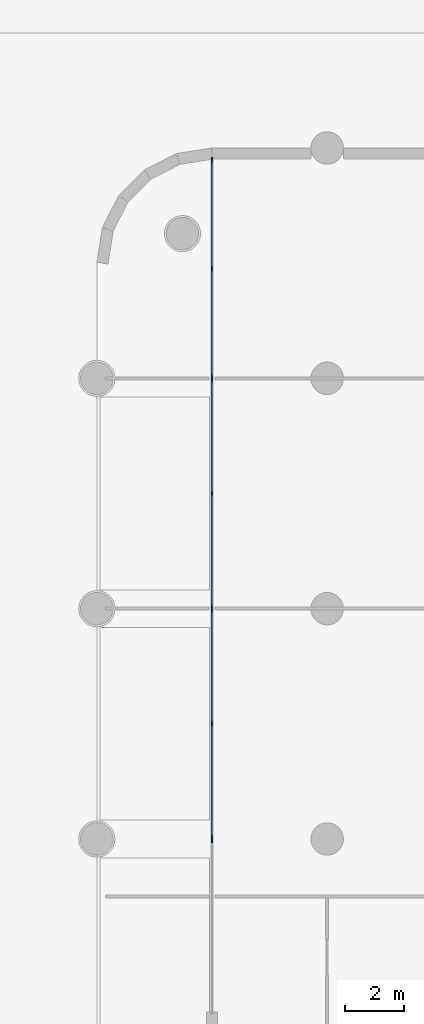
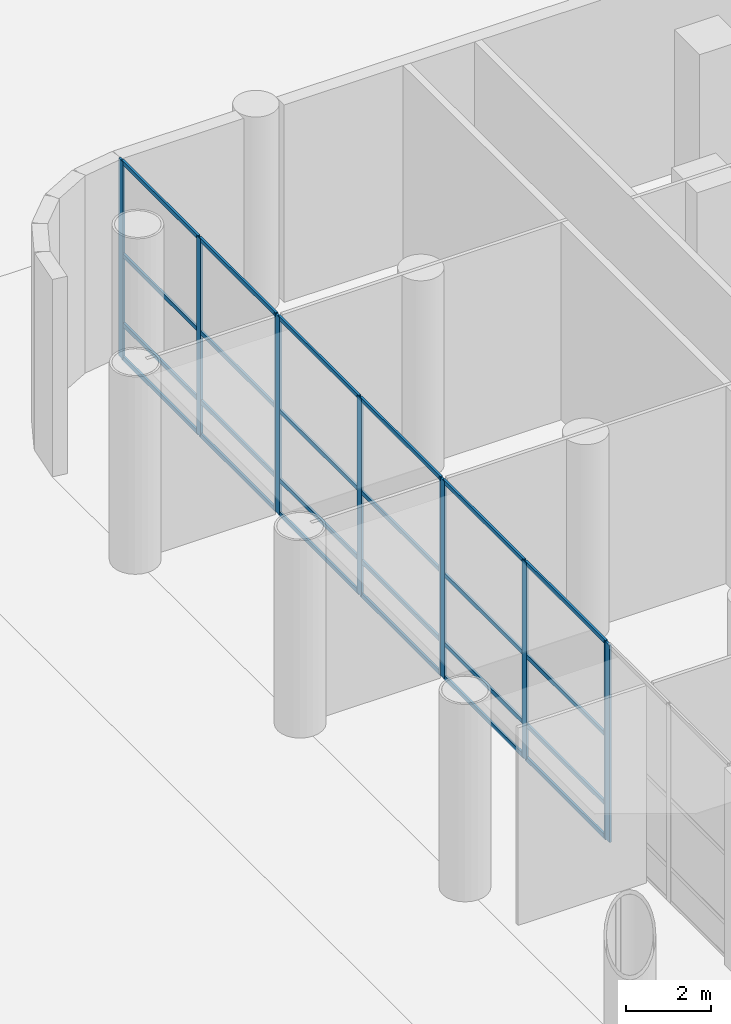
# One storey, part 6 of 32: 34 members, 4 elements without a shape of their own.
"""IFC4 building model written with IfcOpenShell, lengths in metres."""

from ifc_helpers import new_model, si_unit, direction, frame, origin, origin_2d, place, context, subcontext, project, spatial, rectangle, extrude, material, material_profile, profile_set, type_object, element, aggregate, save


model = new_model("IFC4")

# Units and contexts
model_context = context("Model", 3, precision=1e-05, world=origin(), true_north=direction((0.0, 1.0)))
body_context = subcontext(model_context, "Body", "Model", "MODEL_VIEW")
ifc_project = project(units=[si_unit("LENGTHUNIT", "METRE"), si_unit("AREAUNIT", "SQUARE_METRE"), si_unit("VOLUMEUNIT", "CUBIC_METRE"), si_unit("PLANEANGLEUNIT", "RADIAN"), si_unit("MASSUNIT", "GRAM", prefix="KILO")], contexts=[model_context])

# Site, building, storey
site_placement = place(None, origin())
site = spatial("IfcSite", under=ifc_project, at=site_placement, CompositionType="ELEMENT")
building_placement = place(site_placement, origin())
building = spatial("IfcBuilding", under=site, at=building_placement, Name="Ludao Terraces", CompositionType="ELEMENT")
storey_placement = place(building_placement, origin())
storey = spatial("IfcBuildingStorey", under=building, at=storey_placement, Name="L00", CompositionType="ELEMENT", Elevation=0.0)

# Curtain wall, member
ifc_material_1 = material(Name="Aluminium curtain wall with fritted glass", Category="aluminium")
curtain_wall_type = type_object("IfcCurtainWallType", Name="ENV CW2 entrance glazing", PredefinedType="NOTDEFINED", material=ifc_material_1)
curtain_wall_1_placement = place(storey_placement, origin())
curtain_wall_1 = element("IfcCurtainWall", 1, at=curtain_wall_1_placement, inside=storey, type_object=curtain_wall_type, Name="CW-L00-W6", PredefinedType="NOTDEFINED")
ifc_material_2 = material(Name="Aluminium 6063-T6", Category="aluminium")
ifc_material_profile_1 = material_profile(ifc_material_2, rectangle(XDim=0.06005859375, YDim=0.199951171875, at=origin_2d()), Name="60 X 200")
ifc_profile_set_1 = profile_set([ifc_material_profile_1], Name="Aluminium 6063-T6")
member_type_1 = type_object("IfcMemberType", Name="ENV CW2 mullion 60x200", PredefinedType="MULLION", material=ifc_profile_set_1)
member_1_placement = place(storey_placement, frame((49.89990234375, 64.969970703125, 0.0), z_axis=(0.0, 0.0, 1.0), x_axis=(-1.0, 0.0, 0.0)))
member_1 = element("IfcMember", 2, at=member_1_placement, type_object=member_type_1, Name="CW2 mullion 3", PredefinedType="MULLION", context=body_context, shape_type="SweptSolid", body=[
    extrude(rectangle(XDim=0.06005859375, YDim=0.199951171875, at=origin_2d()), origin(), (0.0, 0.0, 1.0), 5.699951171875),
])
aggregate(curtain_wall_1, [member_1])

# Curtain wall, members
curtain_wall_2_placement = place(storey_placement, origin())
curtain_wall_2 = element("IfcCurtainWall", 3, at=curtain_wall_2_placement, inside=storey, type_object=curtain_wall_type, Name="CW-L00-W7", PredefinedType="NOTDEFINED")
member_2_placement = place(storey_placement, frame((49.89990234375, 65.030029296875, 0.0), z_axis=(0.0, 0.0, 1.0), x_axis=(-1.0, 0.0, 0.0)))
member_2 = element("IfcMember", 4, at=member_2_placement, type_object=member_type_1, Name="CW2 mullion 1", PredefinedType="MULLION", context=body_context, shape_type="SweptSolid", body=[
    extrude(rectangle(XDim=0.06005859375, YDim=0.199951171875, at=origin_2d()), origin(), (0.0, 0.0, 1.0), 5.699951171875),
])
member_3_placement = place(storey_placement, frame((49.89990234375, 68.89990234375, 0.0), z_axis=(0.0, 0.0, 1.0), x_axis=(-1.0, 0.0, 0.0)))
member_3 = element("IfcMember", 5, at=member_3_placement, type_object=member_type_1, Name="CW2 mullion 2", PredefinedType="MULLION", context=body_context, shape_type="SweptSolid", body=[
    extrude(rectangle(XDim=0.06005859375, YDim=0.199951171875, at=origin_2d()), origin(), (0.0, 0.0, 1.0), 5.699951171875),
])
member_4_placement = place(storey_placement, frame((49.89990234375, 72.77001953125, 0.0), z_axis=(0.0, 0.0, 1.0), x_axis=(-1.0, 0.0, 0.0)))
member_4 = element("IfcMember", 6, at=member_4_placement, type_object=member_type_1, Name="CW2 mullion 3", PredefinedType="MULLION", context=body_context, shape_type="SweptSolid", body=[
    extrude(rectangle(XDim=0.06005859375, YDim=0.199951171875, at=origin_2d()), origin(), (0.0, 0.0, 1.0), 5.699951171875),
])

curtain_wall_3_placement = place(storey_placement, origin())
curtain_wall_3 = element("IfcCurtainWall", 7, at=curtain_wall_3_placement, inside=storey, type_object=curtain_wall_type, Name="CW-L00-W8", PredefinedType="NOTDEFINED")
member_5_placement = place(storey_placement, frame((49.89990234375, 72.830078125, 0.0), z_axis=(0.0, 0.0, 1.0), x_axis=(-1.0, 0.0, 0.0)))
member_5 = element("IfcMember", 8, at=member_5_placement, type_object=member_type_1, Name="CW2 mullion 1", PredefinedType="MULLION", context=body_context, shape_type="SweptSolid", body=[
    extrude(rectangle(XDim=0.06005859375, YDim=0.199951171875, at=origin_2d()), origin(), (0.0, 0.0, 1.0), 5.699951171875),
])
member_6_placement = place(storey_placement, frame((49.89990234375, 76.699951171875, 0.0), z_axis=(0.0, 0.0, 1.0), x_axis=(-1.0, 0.0, 0.0)))
member_6 = element("IfcMember", 9, at=member_6_placement, type_object=member_type_1, Name="CW2 mullion 2", PredefinedType="MULLION", context=body_context, shape_type="SweptSolid", body=[
    extrude(rectangle(XDim=0.06005859375, YDim=0.199951171875, at=origin_2d()), origin(), (0.0, 0.0, 1.0), 5.699951171875),
])
member_7_placement = place(storey_placement, frame((49.89990234375, 80.570068359375, 0.0), z_axis=(0.0, 0.0, 1.0), x_axis=(-1.0, 0.0, 0.0)))
member_7 = element("IfcMember", 10, at=member_7_placement, type_object=member_type_1, Name="CW2 mullion 3", PredefinedType="MULLION", context=body_context, shape_type="SweptSolid", body=[
    extrude(rectangle(XDim=0.06005859375, YDim=0.199951171875, at=origin_2d()), origin(), (0.0, 0.0, 1.0), 5.699951171875),
])

curtain_wall_4_placement = place(storey_placement, origin())
curtain_wall_4 = element("IfcCurtainWall", 11, at=curtain_wall_4_placement, inside=storey, type_object=curtain_wall_type, Name="CW-L00-W9", PredefinedType="NOTDEFINED")
member_8_placement = place(storey_placement, frame((49.89990234375, 80.6298828125, 0.0), z_axis=(0.0, 0.0, 1.0), x_axis=(-1.0, 0.0, 0.0)))
member_8 = element("IfcMember", 12, at=member_8_placement, type_object=member_type_1, Name="CW2 mullion 1", PredefinedType="MULLION", context=body_context, shape_type="SweptSolid", body=[
    extrude(rectangle(XDim=0.06005859375, YDim=0.199951171875, at=origin_2d()), origin(), (0.0, 0.0, 1.0), 5.699951171875),
])
member_9_placement = place(storey_placement, frame((49.89990234375, 84.31005859375, 0.0), z_axis=(0.0, 0.0, 1.0), x_axis=(-1.0, 0.0, 0.0)))
member_9 = element("IfcMember", 13, at=member_9_placement, type_object=member_type_1, Name="CW2 mullion 2", PredefinedType="MULLION", context=body_context, shape_type="SweptSolid", body=[
    extrude(rectangle(XDim=0.06005859375, YDim=0.199951171875, at=origin_2d()), origin(), (0.0, 0.0, 1.0), 5.699951171875),
])
member_10_placement = place(storey_placement, frame((49.89990234375, 87.989990234375, 0.0), z_axis=(0.0, 0.0, 1.0), x_axis=(-1.0, 0.0, 0.0)))
member_10 = element("IfcMember", 14, at=member_10_placement, type_object=member_type_1, Name="CW2 mullion 3", PredefinedType="MULLION", context=body_context, shape_type="SweptSolid", body=[
    extrude(rectangle(XDim=0.06005859375, YDim=0.199951171875, at=origin_2d()), origin(), (0.0, 0.0, 1.0), 5.699951171875),
])

# Member
ifc_material_profile_2 = material_profile(ifc_material_2, rectangle(XDim=0.06005859375, YDim=0.1201171875, at=origin_2d()), Name="60 X 120")
ifc_profile_set_2 = profile_set([ifc_material_profile_2], Name="Aluminium 6063-T6")
member_type_2 = type_object("IfcMemberType", Name="ENV CW2 transom 60x120", PredefinedType="USERDEFINED", material=ifc_profile_set_2)
member_11_placement = place(storey_placement, frame((49.89990234375, 65.06005859375, 0.030029296875), z_axis=(0.0, 1.0, 0.0), x_axis=(-1.0, 0.0, 0.0)))
member_11 = element("IfcMember", 15, at=member_11_placement, type_object=member_type_2, Name="CW2 transom 1.1", ObjectType="TRANSOM", PredefinedType="USERDEFINED", context=body_context, shape_type="SweptSolid", body=[
    extrude(rectangle(XDim=0.06005859375, YDim=0.1201171875, at=origin_2d()), origin(), (0.0, 0.0, 1.0), 3.81005859375),
])

member_12_placement = place(storey_placement, frame((49.89990234375, 65.06005859375, 1.0), z_axis=(0.0, 1.0, 0.0), x_axis=(-1.0, 0.0, 0.0)))
member_12 = element("IfcMember", 16, at=member_12_placement, type_object=member_type_2, Name="CW2 transom 1.2", ObjectType="TRANSOM", PredefinedType="USERDEFINED", context=body_context, shape_type="SweptSolid", body=[
    extrude(rectangle(XDim=0.06005859375, YDim=0.1201171875, at=origin_2d()), origin(), (0.0, 0.0, 1.0), 3.81005859375),
])

member_13_placement = place(storey_placement, frame((49.89990234375, 65.06005859375, 3.0), z_axis=(0.0, 1.0, 0.0), x_axis=(-1.0, 0.0, 0.0)))
member_13 = element("IfcMember", 17, at=member_13_placement, type_object=member_type_2, Name="CW2 transom 1.3", ObjectType="TRANSOM", PredefinedType="USERDEFINED", context=body_context, shape_type="SweptSolid", body=[
    extrude(rectangle(XDim=0.06005859375, YDim=0.1201171875, at=origin_2d()), origin(), (0.0, 0.0, 1.0), 3.81005859375),
])

member_14_placement = place(storey_placement, frame((49.89990234375, 65.06005859375, 5.669921875), z_axis=(0.0, 1.0, 0.0), x_axis=(-1.0, 0.0, 0.0)))
member_14 = element("IfcMember", 18, at=member_14_placement, type_object=member_type_2, Name="CW2 transom 1.4", ObjectType="TRANSOM", PredefinedType="USERDEFINED", context=body_context, shape_type="SweptSolid", body=[
    extrude(rectangle(XDim=0.06005859375, YDim=0.1201171875, at=origin_2d()), origin(), (0.0, 0.0, 1.0), 3.81005859375),
])

member_15_placement = place(storey_placement, frame((49.89990234375, 68.929931640625, 0.030029296875), z_axis=(0.0, 1.0, 0.0), x_axis=(-1.0, 0.0, 0.0)))
member_15 = element("IfcMember", 19, at=member_15_placement, type_object=member_type_2, Name="CW2 transom 2.1", ObjectType="TRANSOM", PredefinedType="USERDEFINED", context=body_context, shape_type="SweptSolid", body=[
    extrude(rectangle(XDim=0.06005859375, YDim=0.1201171875, at=origin_2d()), origin(), (0.0, 0.0, 1.0), 3.81005859375),
])

member_16_placement = place(storey_placement, frame((49.89990234375, 68.929931640625, 1.0), z_axis=(0.0, 1.0, 0.0), x_axis=(-1.0, 0.0, 0.0)))
member_16 = element("IfcMember", 20, at=member_16_placement, type_object=member_type_2, Name="CW2 transom 2.2", ObjectType="TRANSOM", PredefinedType="USERDEFINED", context=body_context, shape_type="SweptSolid", body=[
    extrude(rectangle(XDim=0.06005859375, YDim=0.1201171875, at=origin_2d()), origin(), (0.0, 0.0, 1.0), 3.81005859375),
])

member_17_placement = place(storey_placement, frame((49.89990234375, 68.929931640625, 3.0), z_axis=(0.0, 1.0, 0.0), x_axis=(-1.0, 0.0, 0.0)))
member_17 = element("IfcMember", 21, at=member_17_placement, type_object=member_type_2, Name="CW2 transom 2.3", ObjectType="TRANSOM", PredefinedType="USERDEFINED", context=body_context, shape_type="SweptSolid", body=[
    extrude(rectangle(XDim=0.06005859375, YDim=0.1201171875, at=origin_2d()), origin(), (0.0, 0.0, 1.0), 3.81005859375),
])

member_18_placement = place(storey_placement, frame((49.89990234375, 68.929931640625, 5.669921875), z_axis=(0.0, 1.0, 0.0), x_axis=(-1.0, 0.0, 0.0)))
member_18 = element("IfcMember", 22, at=member_18_placement, type_object=member_type_2, Name="CW2 transom 2.4", ObjectType="TRANSOM", PredefinedType="USERDEFINED", context=body_context, shape_type="SweptSolid", body=[
    extrude(rectangle(XDim=0.06005859375, YDim=0.1201171875, at=origin_2d()), origin(), (0.0, 0.0, 1.0), 3.81005859375),
])

aggregate(curtain_wall_2, [member_2, member_3, member_4, member_11, member_12, member_13, member_14, member_15, member_16, member_17, member_18])

member_19_placement = place(storey_placement, frame((49.89990234375, 72.860107421875, 0.030029296875), z_axis=(0.0, 1.0, 0.0), x_axis=(-1.0, 0.0, 0.0)))
member_19 = element("IfcMember", 23, at=member_19_placement, type_object=member_type_2, Name="CW2 transom 1.1", ObjectType="TRANSOM", PredefinedType="USERDEFINED", context=body_context, shape_type="SweptSolid", body=[
    extrude(rectangle(XDim=0.06005859375, YDim=0.1201171875, at=origin_2d()), origin(), (0.0, 0.0, 1.0), 3.809814453125),
])

member_20_placement = place(storey_placement, frame((49.89990234375, 72.860107421875, 1.0), z_axis=(0.0, 1.0, 0.0), x_axis=(-1.0, 0.0, 0.0)))
member_20 = element("IfcMember", 24, at=member_20_placement, type_object=member_type_2, Name="CW2 transom 1.2", ObjectType="TRANSOM", PredefinedType="USERDEFINED", context=body_context, shape_type="SweptSolid", body=[
    extrude(rectangle(XDim=0.06005859375, YDim=0.1201171875, at=origin_2d()), origin(), (0.0, 0.0, 1.0), 3.809814453125),
])

member_21_placement = place(storey_placement, frame((49.89990234375, 72.860107421875, 3.0), z_axis=(0.0, 1.0, 0.0), x_axis=(-1.0, 0.0, 0.0)))
member_21 = element("IfcMember", 25, at=member_21_placement, type_object=member_type_2, Name="CW2 transom 1.3", ObjectType="TRANSOM", PredefinedType="USERDEFINED", context=body_context, shape_type="SweptSolid", body=[
    extrude(rectangle(XDim=0.06005859375, YDim=0.1201171875, at=origin_2d()), origin(), (0.0, 0.0, 1.0), 3.809814453125),
])

member_22_placement = place(storey_placement, frame((49.89990234375, 72.860107421875, 5.669921875), z_axis=(0.0, 1.0, 0.0), x_axis=(-1.0, 0.0, 0.0)))
member_22 = element("IfcMember", 26, at=member_22_placement, type_object=member_type_2, Name="CW2 transom 1.4", ObjectType="TRANSOM", PredefinedType="USERDEFINED", context=body_context, shape_type="SweptSolid", body=[
    extrude(rectangle(XDim=0.06005859375, YDim=0.1201171875, at=origin_2d()), origin(), (0.0, 0.0, 1.0), 3.809814453125),
])

member_23_placement = place(storey_placement, frame((49.89990234375, 76.72998046875, 0.030029296875), z_axis=(0.0, 1.0, 0.0), x_axis=(-1.0, 0.0, 0.0)))
member_23 = element("IfcMember", 27, at=member_23_placement, type_object=member_type_2, Name="CW2 transom 2.1", ObjectType="TRANSOM", PredefinedType="USERDEFINED", context=body_context, shape_type="SweptSolid", body=[
    extrude(rectangle(XDim=0.06005859375, YDim=0.1201171875, at=origin_2d()), origin(), (0.0, 0.0, 1.0), 3.81005859375),
])

member_24_placement = place(storey_placement, frame((49.89990234375, 76.72998046875, 1.0), z_axis=(0.0, 1.0, 0.0), x_axis=(-1.0, 0.0, 0.0)))
member_24 = element("IfcMember", 28, at=member_24_placement, type_object=member_type_2, Name="CW2 transom 2.2", ObjectType="TRANSOM", PredefinedType="USERDEFINED", context=body_context, shape_type="SweptSolid", body=[
    extrude(rectangle(XDim=0.06005859375, YDim=0.1201171875, at=origin_2d()), origin(), (0.0, 0.0, 1.0), 3.81005859375),
])

member_25_placement = place(storey_placement, frame((49.89990234375, 76.72998046875, 3.0), z_axis=(0.0, 1.0, 0.0), x_axis=(-1.0, 0.0, 0.0)))
member_25 = element("IfcMember", 29, at=member_25_placement, type_object=member_type_2, Name="CW2 transom 2.3", ObjectType="TRANSOM", PredefinedType="USERDEFINED", context=body_context, shape_type="SweptSolid", body=[
    extrude(rectangle(XDim=0.06005859375, YDim=0.1201171875, at=origin_2d()), origin(), (0.0, 0.0, 1.0), 3.81005859375),
])

member_26_placement = place(storey_placement, frame((49.89990234375, 76.72998046875, 5.669921875), z_axis=(0.0, 1.0, 0.0), x_axis=(-1.0, 0.0, 0.0)))
member_26 = element("IfcMember", 30, at=member_26_placement, type_object=member_type_2, Name="CW2 transom 2.4", ObjectType="TRANSOM", PredefinedType="USERDEFINED", context=body_context, shape_type="SweptSolid", body=[
    extrude(rectangle(XDim=0.06005859375, YDim=0.1201171875, at=origin_2d()), origin(), (0.0, 0.0, 1.0), 3.81005859375),
])

aggregate(curtain_wall_3, [member_5, member_6, member_7, member_19, member_20, member_21, member_22, member_23, member_24, member_25, member_26])

member_27_placement = place(storey_placement, frame((49.89990234375, 80.659912109375, 0.030029296875), z_axis=(0.0, 1.0, 0.0), x_axis=(-1.0, 0.0, 0.0)))
member_27 = element("IfcMember", 31, at=member_27_placement, type_object=member_type_2, Name="CW2 transom 1.1", ObjectType="TRANSOM", PredefinedType="USERDEFINED", context=body_context, shape_type="SweptSolid", body=[
    extrude(rectangle(XDim=0.06005859375, YDim=0.1201171875, at=origin_2d()), origin(), (0.0, 0.0, 1.0), 3.6201171875),
])

member_28_placement = place(storey_placement, frame((49.89990234375, 80.659912109375, 1.0), z_axis=(0.0, 1.0, 0.0), x_axis=(-1.0, 0.0, 0.0)))
member_28 = element("IfcMember", 32, at=member_28_placement, type_object=member_type_2, Name="CW2 transom 1.2", ObjectType="TRANSOM", PredefinedType="USERDEFINED", context=body_context, shape_type="SweptSolid", body=[
    extrude(rectangle(XDim=0.06005859375, YDim=0.1201171875, at=origin_2d()), origin(), (0.0, 0.0, 1.0), 3.6201171875),
])

member_29_placement = place(storey_placement, frame((49.89990234375, 80.659912109375, 3.0), z_axis=(0.0, 1.0, 0.0), x_axis=(-1.0, 0.0, 0.0)))
member_29 = element("IfcMember", 33, at=member_29_placement, type_object=member_type_2, Name="CW2 transom 1.3", ObjectType="TRANSOM", PredefinedType="USERDEFINED", context=body_context, shape_type="SweptSolid", body=[
    extrude(rectangle(XDim=0.06005859375, YDim=0.1201171875, at=origin_2d()), origin(), (0.0, 0.0, 1.0), 3.6201171875),
])

member_30_placement = place(storey_placement, frame((49.89990234375, 80.659912109375, 5.669921875), z_axis=(0.0, 1.0, 0.0), x_axis=(-1.0, 0.0, 0.0)))
member_30 = element("IfcMember", 34, at=member_30_placement, type_object=member_type_2, Name="CW2 transom 1.4", ObjectType="TRANSOM", PredefinedType="USERDEFINED", context=body_context, shape_type="SweptSolid", body=[
    extrude(rectangle(XDim=0.06005859375, YDim=0.1201171875, at=origin_2d()), origin(), (0.0, 0.0, 1.0), 3.6201171875),
])

member_31_placement = place(storey_placement, frame((49.89990234375, 84.340087890625, 0.030029296875), z_axis=(0.0, 1.0, 0.0), x_axis=(-1.0, 0.0, 0.0)))
member_31 = element("IfcMember", 35, at=member_31_placement, type_object=member_type_2, Name="CW2 transom 2.1", ObjectType="TRANSOM", PredefinedType="USERDEFINED", context=body_context, shape_type="SweptSolid", body=[
    extrude(rectangle(XDim=0.06005859375, YDim=0.1201171875, at=origin_2d()), origin(), (0.0, 0.0, 1.0), 3.619873046875),
])

member_32_placement = place(storey_placement, frame((49.89990234375, 84.340087890625, 1.0), z_axis=(0.0, 1.0, 0.0), x_axis=(-1.0, 0.0, 0.0)))
member_32 = element("IfcMember", 36, at=member_32_placement, type_object=member_type_2, Name="CW2 transom 2.2", ObjectType="TRANSOM", PredefinedType="USERDEFINED", context=body_context, shape_type="SweptSolid", body=[
    extrude(rectangle(XDim=0.06005859375, YDim=0.1201171875, at=origin_2d()), origin(), (0.0, 0.0, 1.0), 3.619873046875),
])

member_33_placement = place(storey_placement, frame((49.89990234375, 84.340087890625, 3.0), z_axis=(0.0, 1.0, 0.0), x_axis=(-1.0, 0.0, 0.0)))
member_33 = element("IfcMember", 37, at=member_33_placement, type_object=member_type_2, Name="CW2 transom 2.3", ObjectType="TRANSOM", PredefinedType="USERDEFINED", context=body_context, shape_type="SweptSolid", body=[
    extrude(rectangle(XDim=0.06005859375, YDim=0.1201171875, at=origin_2d()), origin(), (0.0, 0.0, 1.0), 3.619873046875),
])

member_34_placement = place(storey_placement, frame((49.89990234375, 84.340087890625, 5.669921875), z_axis=(0.0, 1.0, 0.0), x_axis=(-1.0, 0.0, 0.0)))
member_34 = element("IfcMember", 38, at=member_34_placement, type_object=member_type_2, Name="CW2 transom 2.4", ObjectType="TRANSOM", PredefinedType="USERDEFINED", context=body_context, shape_type="SweptSolid", body=[
    extrude(rectangle(XDim=0.06005859375, YDim=0.1201171875, at=origin_2d()), origin(), (0.0, 0.0, 1.0), 3.619873046875),
])

aggregate(curtain_wall_4, [member_8, member_9, member_10, member_27, member_28, member_29, member_30, member_31, member_32, member_33, member_34])

save(model, "model.ifc")
